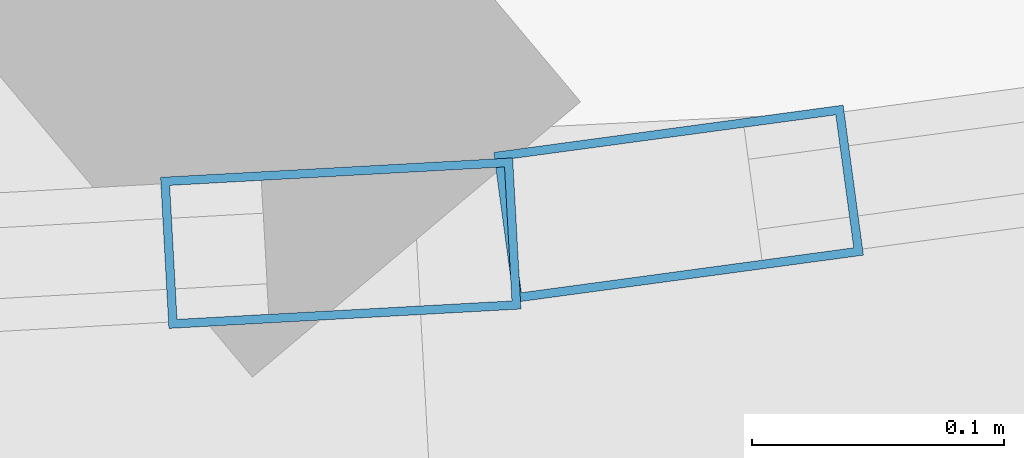
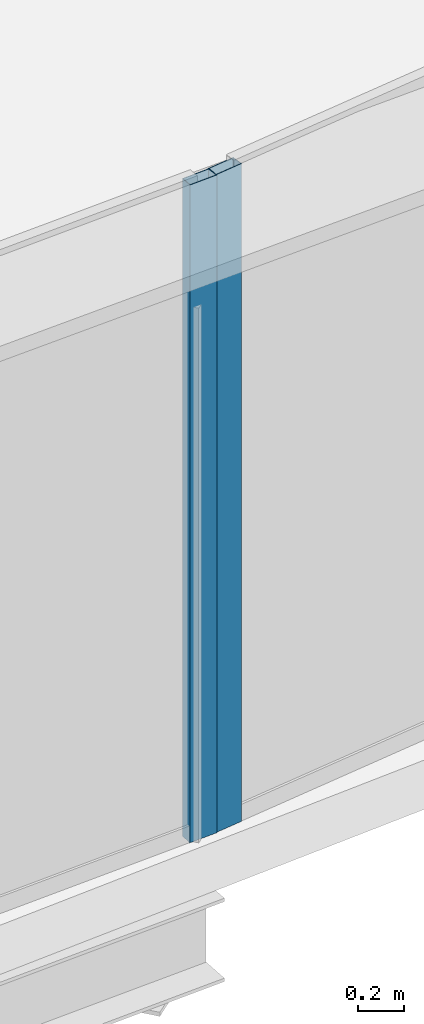
# One storey, part 12 of 34: 2 members, 2 elements without a shape of their own.
"""IFC4 building model written with IfcOpenShell, lengths in metres."""

from ifc_helpers import new_model, si_unit, direction, frame, origin, origin_2d, place, context, subcontext, project, spatial, hollow_rectangle, extrude, source, transform, mapped, material, layer, layer_set, material_profile, profile_set, type_object, element, aggregate, save


model = new_model("IFC4")

# Units and contexts
model_context = context("Model", 3, precision=1e-05, world=origin(), true_north=direction((0.0, 1.0)))
body_context = subcontext(model_context, "Body", "Model", "MODEL_VIEW")
ifc_project = project(units=[si_unit("LENGTHUNIT", "METRE"), si_unit("AREAUNIT", "SQUARE_METRE"), si_unit("VOLUMEUNIT", "CUBIC_METRE"), si_unit("PLANEANGLEUNIT", "RADIAN"), si_unit("MASSUNIT", "GRAM", prefix="KILO"), si_unit("THERMODYNAMICTEMPERATUREUNIT", "KELVIN"), si_unit("POWERUNIT", "WATT")], contexts=[model_context])

# Site, building, storey
site_placement = place(None, origin())
site = spatial("IfcSite", under=ifc_project, at=site_placement, CompositionType="ELEMENT")
building_placement = place(site_placement, origin())
building = spatial("IfcBuilding", under=site, at=building_placement, Name="Yunzhuo Pagoda Commons", CompositionType="ELEMENT")
storey_placement = place(building_placement, frame((0.0, 0.0, 233.340087890625)))
storey = spatial("IfcBuildingStorey", under=building, at=storey_placement, Name="L58", CompositionType="ELEMENT", Elevation=233.340087890625)

# Curtain wall, member
ifc_material = material(Name="Anodized aluminium 6063-T6", Category="aluminium")
ifc_layer = layer(ifc_material, 0.139892578125)
ifc_layer_set = layer_set([ifc_layer], Name="Anodized aluminium 6063-T6")
curtain_wall_type = type_object("IfcCurtainWallType", Name="CW-HI High-Zone Ribbon Curtain Wall", PredefinedType="NOTDEFINED", material=ifc_layer_set)
curtain_wall_1_placement = place(storey_placement, origin())
curtain_wall_1 = element("IfcCurtainWall", 1, at=curtain_wall_1_placement, inside=storey, type_object=curtain_wall_type, Name="L58 curtain wall CW-L58-F1B4", PredefinedType="NOTDEFINED")
ifc_material_profile = material_profile(ifc_material, hollow_rectangle(XDim=0.06005859375, YDim=0.139892578125, WallThickness=0.00341796875, at=origin_2d()), Name="Anodized aluminium 6063-T6")
ifc_profile_set = profile_set([ifc_material_profile], Name="Anodized aluminium 6063-T6")
member_type = type_object("IfcMemberType", Name="CW-HI-M Mullion RHS 140x60x3.5", PredefinedType="MULLION", material=ifc_profile_set)
shared_shape = source(origin(), body_context, "Body", "SweptSolid", [
    extrude(hollow_rectangle(XDim=0.06005859375, YDim=0.139892578125, WallThickness=0.00341796875, at=origin_2d()), origin(), (0.0, 0.0, 1.0), 3.469970703125),
])
member_1_placement = place(storey_placement, frame((62.5927734375, 16.27197265625, 0.0), z_axis=(0.0, 0.0, 1.0), x_axis=(-0.054981193813, 0.998487390169, 0.0)))
member_1 = element("IfcMember", 2, at=member_1_placement, type_object=member_type, Name="CW mullion 2", PredefinedType="MULLION", context=body_context, shape_type="MappedRepresentation", body=[
    mapped(shared_shape, transform((0.0, 0.0, 0.0), scale=1.0)),
])
aggregate(curtain_wall_1, [member_1])

curtain_wall_2_placement = place(storey_placement, origin())
curtain_wall_2 = element("IfcCurtainWall", 3, at=curtain_wall_2_placement, inside=storey, type_object=curtain_wall_type, Name="L58 curtain wall CW-L58-F1B5", PredefinedType="NOTDEFINED")
member_2_placement = place(storey_placement, frame((62.726806640625, 16.28759765625, 0.0), z_axis=(0.0, 0.0, 1.0), x_axis=(-0.133929585963, 0.990990850616, 0.0)))
member_2 = element("IfcMember", 4, at=member_2_placement, type_object=member_type, Name="CW mullion 1", PredefinedType="MULLION", context=body_context, shape_type="MappedRepresentation", body=[
    mapped(shared_shape, transform((0.0, 0.0, 0.0), scale=1.0)),
])
aggregate(curtain_wall_2, [member_2])

save(model, "model.ifc")
